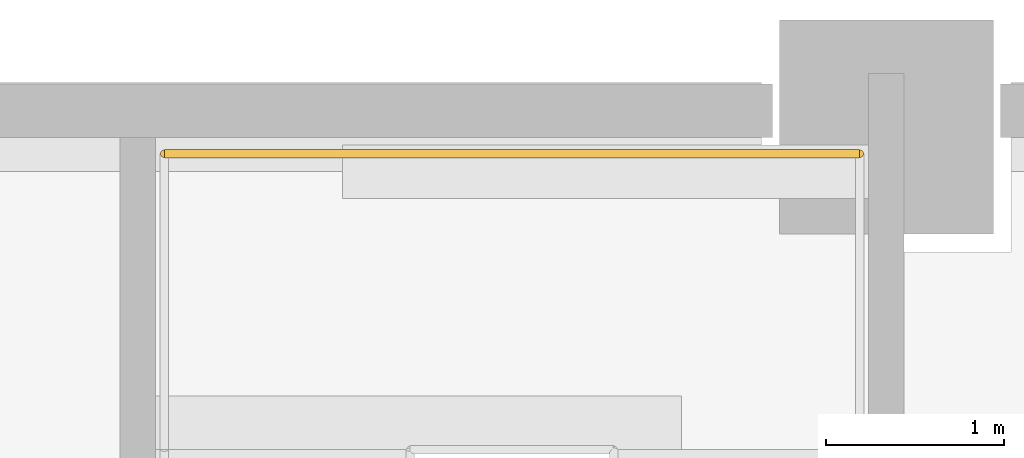
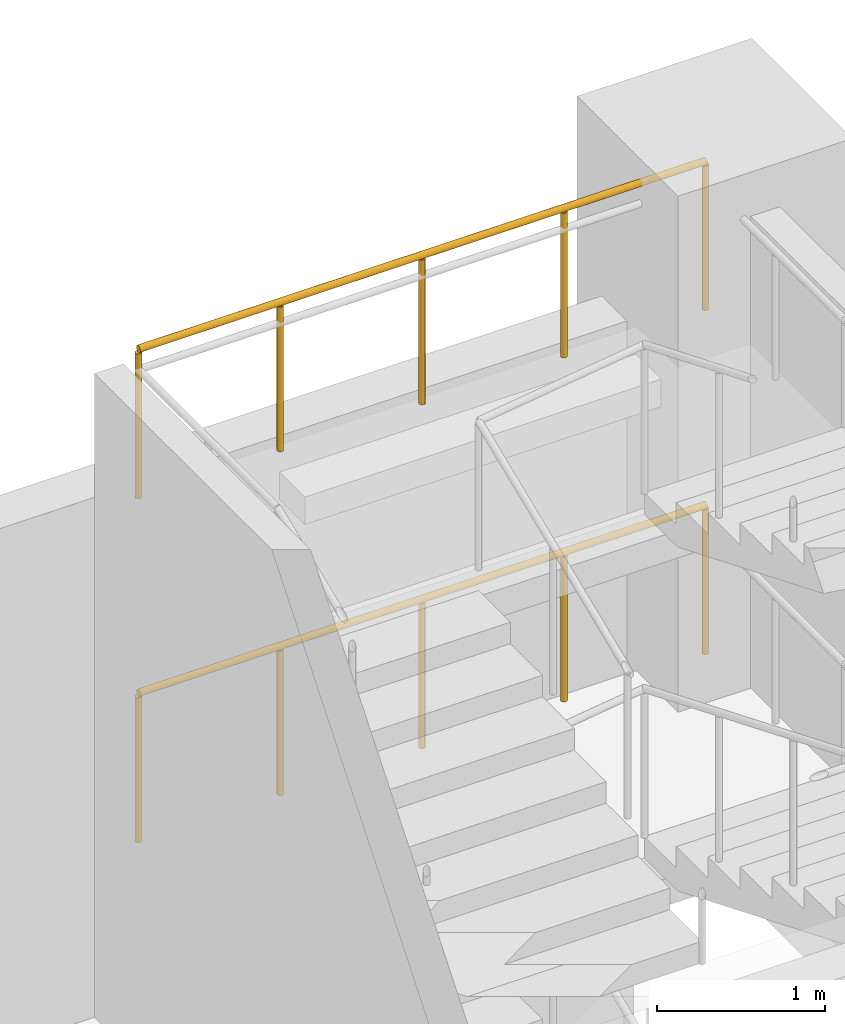
# One storey, part 16 of 16: 2 railings.
"""IFC4 building model written with IfcOpenShell, lengths in metres."""

from ifc_helpers import new_model, si_unit, direction, frame, origin, origin_2d, place, context, subcontext, project, spatial, circle, extrude, material, type_object, element, save


model = new_model("IFC4")

# Units and contexts
model_context = context("Model", 3, precision=1e-05, world=origin(), true_north=direction((0.0, 1.0)))
body_context = subcontext(model_context, "Body", "Model", "MODEL_VIEW")
ifc_project = project(units=[si_unit("LENGTHUNIT", "METRE"), si_unit("AREAUNIT", "SQUARE_METRE"), si_unit("VOLUMEUNIT", "CUBIC_METRE"), si_unit("PLANEANGLEUNIT", "RADIAN"), si_unit("MASSUNIT", "GRAM", prefix="KILO")], contexts=[model_context])

# Site, building, storey
site_placement = place(None, origin())
site = spatial("IfcSite", under=ifc_project, at=site_placement, CompositionType="ELEMENT")
building_placement = place(site_placement, origin())
building = spatial("IfcBuilding", under=site, at=building_placement, Name="Marenta Gate Hotel Tower", CompositionType="ELEMENT")
storey_placement = place(building_placement, frame((0.0, 0.0, 21.0)))
storey = spatial("IfcBuildingStorey", under=building, at=storey_placement, Name="L03", CompositionType="ELEMENT", Elevation=21.0)

# Railings
ifc_material = material(Name="Stainless steel", Category="steel")
railing_type = type_object("IfcRailingType", Name="Core stair well guard 1100", PredefinedType="GUARDRAIL", material=ifc_material)
for number, where, name in (
    (1, (16.949951171875, 41.85009765625, 1.25), "GR-1100 L03-KR-PX4-1"),
    (2, (16.949951171875, 41.85009765625, 3.75), "GR-1100 L03-KR-PX4-4"),
):
    element("IfcRailing", number, at=place(storey_placement, frame(where)), inside=storey, type_object=railing_type, Name=name, PredefinedType="GUARDRAIL", context=body_context, shape_type="SweptSolid", body=[
        extrude(circle(Radius=0.02392578125, at=origin_2d()), frame((0.0, 0.0, 1.076171875), z_axis=(1.0, 0.0, 0.0), x_axis=(0.0, 1.0, 0.0)), (0.0, 0.0, 1.0), 3.900146484375),
        extrude(circle(Radius=0.02099609375, at=origin_2d()), origin(), (0.0, 0.0, 1.0), 1.052001953125),
        extrude(circle(Radius=0.02099609375, at=origin_2d()), frame((0.97509765625, 0.0, 0.0)), (0.0, 0.0, 1.0), 1.052001953125),
        extrude(circle(Radius=0.02099609375, at=origin_2d()), frame((1.9501953125, 0.0, 0.0)), (0.0, 0.0, 1.0), 1.052001953125),
        extrude(circle(Radius=0.02099609375, at=origin_2d()), frame((2.925048828125, 0.0, 0.0)), (0.0, 0.0, 1.0), 1.052001953125),
        extrude(circle(Radius=0.02099609375, at=origin_2d()), frame((3.900146484375, 0.0, 0.0)), (0.0, 0.0, 1.0), 1.052001953125),
    ])

save(model, "model.ifc")
